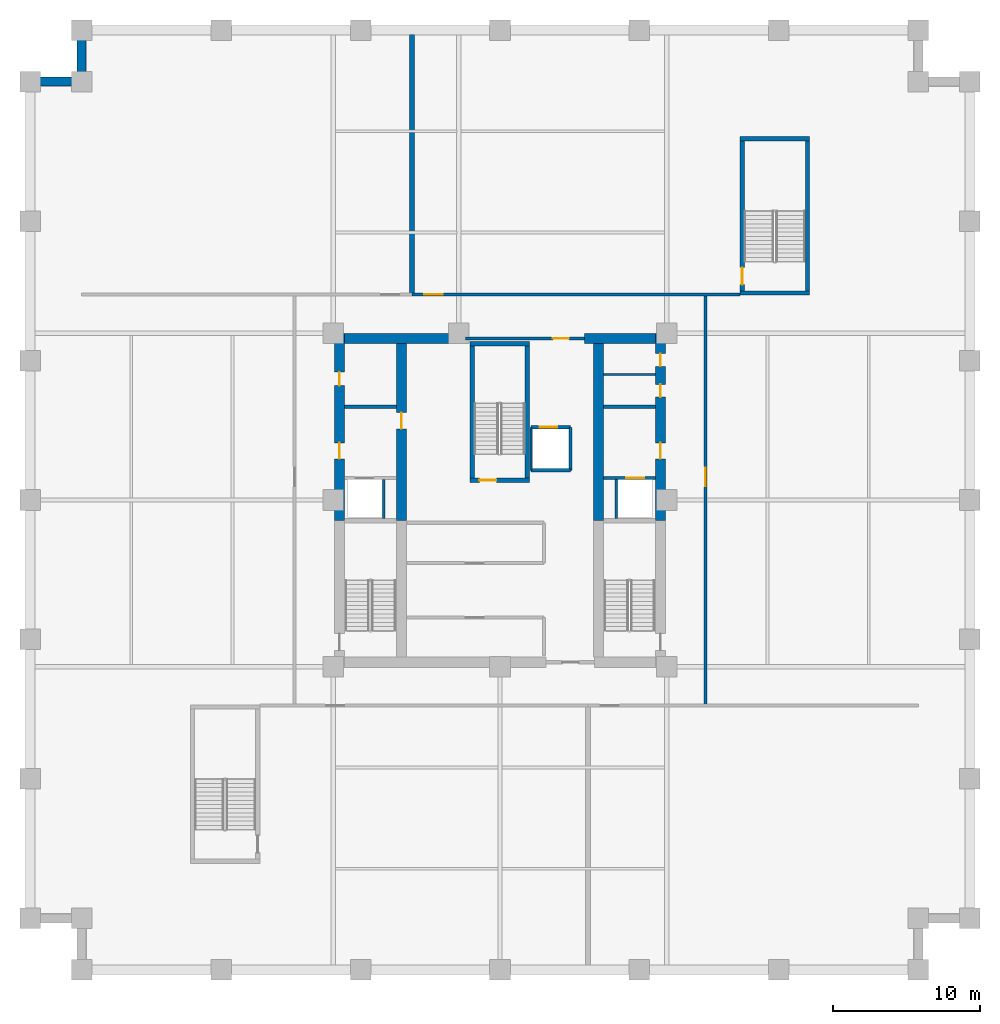
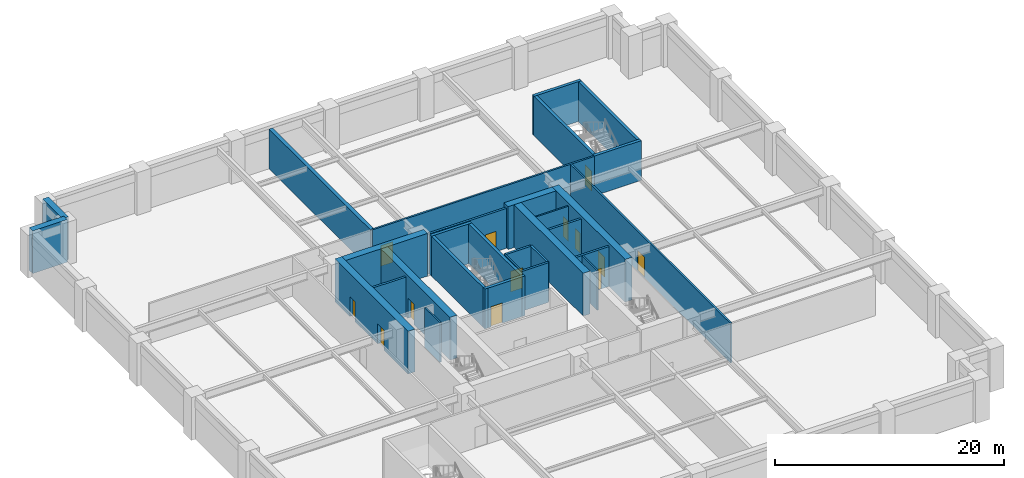
# One storey, part 3 of 6: 30 walls, 13 doors, 13 openings.
"""IFC4 building model written with IfcOpenShell, lengths in metres."""

from ifc_helpers import new_model, si_unit, direction, frame, frame_2d, origin, place, context, subcontext, project, spatial, rectangle, extrude, material, layer, layer_set, type_object, element, fill, save


model = new_model("IFC4")

# Units and contexts
model_context = context("Model", 3, precision=1e-05, world=origin(), true_north=direction((0.0, 1.0)))
body_context = subcontext(model_context, "Body", "Model", "MODEL_VIEW")
ifc_project = project(units=[si_unit("LENGTHUNIT", "METRE"), si_unit("AREAUNIT", "SQUARE_METRE"), si_unit("VOLUMEUNIT", "CUBIC_METRE"), si_unit("PLANEANGLEUNIT", "RADIAN"), si_unit("MASSUNIT", "GRAM", prefix="KILO")], contexts=[model_context])

# Site, building, storey
site_placement = place(None, origin())
site = spatial("IfcSite", under=ifc_project, at=site_placement, CompositionType="ELEMENT")
building_placement = place(site_placement, origin())
building = spatial("IfcBuilding", under=site, at=building_placement, Name="Nhamokura Convention Tower", CompositionType="ELEMENT")
storey_placement = place(building_placement, frame((0.0, 0.0, -4.550048828125)))
storey = spatial("IfcBuildingStorey", under=building, at=storey_placement, Name="B01", CompositionType="ELEMENT", Elevation=-4.550048828125)

# Walls
ifc_material_1 = material(Name="Concrete C50/60", Category="concrete")
ifc_layer_1 = layer(ifc_material_1, 0.60009765625)
ifc_layer_set_1 = layer_set([ifc_layer_1], Name="BasementRetainingWall_600")
wall_type_1 = type_object("IfcWallType", Name="BasementRetainingWall_600", PredefinedType="USERDEFINED", material=ifc_layer_set_1)
for number, where, z_axis, x_axis, name in (
    (1, (3.5, 64.0, 0.0), (0.0, 0.0, 1.0), (0.0, -1.0, 0.0), "B01 Perimeter Retaining Wall 08"),
    (2, (3.5, 60.5, 0.0), (0.0, 0.0, 1.0), (-1.0, 0.0, 0.0), "B01 Perimeter Retaining Wall 09"),
):
    element("IfcWall", number, at=place(storey_placement, frame(where, z_axis=z_axis, x_axis=x_axis)), inside=storey, type_object=wall_type_1, Name=name, ObjectType="RETAININGWALL", PredefinedType="USERDEFINED", context=body_context, shape_type="SweptSolid", body=[
        extrude(rectangle(XDim=3.5, YDim=0.60009765625, at=frame_2d((1.75, 0.0))), origin(), (0.0, 0.0, 1.0), 4.550048828125),
    ])
ifc_material_2 = material(Name="Moisture-resistant tile-backer partition", Category="masonry")
ifc_layer_2 = layer(ifc_material_2, 0.139892578125)
ifc_layer_set_2 = layer_set([ifc_layer_2], Name="BathroomWetWall_140")
wall_type_2 = type_object("IfcWallType", Name="BathroomWetWall_140", PredefinedType="STANDARD", material=ifc_layer_set_2)
wall_1_placement = place(storey_placement, frame((39.06005859375, 40.550048828125, 0.0), z_axis=(0.0, 0.0, 1.0), x_axis=(1.0, 0.0, 0.0)))
element("IfcWall", 3, at=wall_1_placement, inside=storey, type_object=wall_type_2, Name="B01 Wall INT-B01-CWNE", PredefinedType="STANDARD", context=body_context, shape_type="SweptSolid", body=[
    extrude(rectangle(XDim=3.530029296875, YDim=0.139892578125, at=frame_2d((1.76513671875, 0.0))), origin(), (0.0, 0.0, 1.0), 4.22998046875),
])

# Wall, openings, doors
ifc_material_3 = material(Name="Concrete C70/85", Category="concrete")
ifc_layer_3 = layer(ifc_material_3, 0.699951171875)
ifc_layer_set_3 = layer_set([ifc_layer_3], Name="CoreShearWall_700")
wall_type_3 = type_object("IfcWallType", Name="CoreShearWall_700", PredefinedType="SHEAR", material=ifc_layer_set_3)
wall_2_placement = place(storey_placement, frame((21.06005859375, 30.60009765625, 0.0), z_axis=(0.0, 0.0, 1.0), x_axis=(0.0, 1.0, 0.0)))
wall_2 = element("IfcWall", 4, at=wall_2_placement, inside=storey, type_object=wall_type_3, Name="B01 Core Shear Wall CW-WN", PredefinedType="SHEAR", context=body_context, shape_type="SweptSolid", body=[
    extrude(rectangle(XDim=12.75, YDim=0.699951171875, at=frame_2d((6.375, 0.0))), origin(), (0.0, 0.0, 1.0), 4.550048828125),
])
opening_1_placement = place(wall_2_placement, frame((4.199951171875, 0.0, 0.0)))
opening_1 = element("IfcOpeningElement", 5, at=opening_1_placement, cuts=wall_2, Name="Opening D-05", PredefinedType="OPENING", context=body_context, shape_type="SweptSolid", body=[
    extrude(rectangle(XDim=1.10009765625, YDim=2.14990234375, at=frame_2d((0.550048828125, 1.074951171875))), frame((0.0, 0.35986328125, 0.0), z_axis=(0.0, -1.0, 0.0), x_axis=(1.0, 0.0, 0.0)), (0.0, 0.0, 1.0), 0.719970703125),
])
opening_2_placement = place(wall_2_placement, frame((9.199951171875, 0.0, 0.0)))
opening_2 = element("IfcOpeningElement", 6, at=opening_2_placement, cuts=wall_2, Name="Opening D-10", PredefinedType="OPENING", context=body_context, shape_type="SweptSolid", body=[
    extrude(rectangle(XDim=0.919921875, YDim=2.10009765625, at=frame_2d((0.4599609375, 1.050048828125))), frame((0.0, 0.35986328125, 0.0), z_axis=(0.0, -1.0, 0.0), x_axis=(1.0, 0.0, 0.0)), (0.0, 0.0, 1.0), 0.719970703125),
])
ifc_material_4 = material(Name="Solid oak hardwood", Category="wood")
door_type_1 = type_object("IfcDoorType", Name="AccessibleWCDoor_920", OperationType="NOTDEFINED", PredefinedType="DOOR", material=ifc_material_4)
door_1_placement = place(opening_2_placement, origin())
door_1 = element("IfcDoor", 7, at=door_1_placement, inside=storey, type_object=door_type_1, Name="B01 Core Door INT-B01-D-AWC", OperationType="SINGLE_SWING_LEFT", OverallHeight=2.10009765625, OverallWidth=0.919921875, PredefinedType="DOOR", context=body_context, shape_type="SweptSolid", body=[
    extrude(rectangle(XDim=0.919921875, YDim=2.10009765625, at=frame_2d((0.4599609375, 1.050048828125))), frame((0.0, 0.02490234375, 0.0), z_axis=(0.0, -1.0, 0.0), x_axis=(1.0, 0.0, 0.0)), (0.0, 0.0, 1.0), 0.050048828125),
])
fill(opening_2, door_1)
ifc_material_5 = material(Name="Fire-rated steel door", Category="steel")
door_type_2 = type_object("IfcDoorType", Name="FireLobbyDoor_1100", OperationType="NOTDEFINED", PredefinedType="DOOR", material=ifc_material_5)
door_2_placement = place(opening_1_placement, origin())
door_2 = element("IfcDoor", 8, at=door_2_placement, inside=storey, type_object=door_type_2, Name="B01 Core Door INT-B01-D-FFLW", OperationType="SINGLE_SWING_RIGHT", OverallHeight=2.14990234375, OverallWidth=1.10009765625, PredefinedType="DOOR", context=body_context, shape_type="SweptSolid", body=[
    extrude(rectangle(XDim=1.10009765625, YDim=2.14990234375, at=frame_2d((0.550048828125, 1.074951171875))), frame((0.0, 0.02490234375, 0.0), z_axis=(0.0, -1.0, 0.0), x_axis=(1.0, 0.0, 0.0)), (0.0, 0.0, 1.0), 0.050048828125),
])
fill(opening_1, door_2)

wall_3_placement = place(storey_placement, frame((42.93994140625, 30.60009765625, 0.0), z_axis=(0.0, 0.0, 1.0), x_axis=(0.0, 1.0, 0.0)))
wall_3 = element("IfcWall", 9, at=wall_3_placement, inside=storey, type_object=wall_type_3, Name="B01 Core Shear Wall CW-EN", PredefinedType="SHEAR", context=body_context, shape_type="SweptSolid", body=[
    extrude(rectangle(XDim=12.75, YDim=0.699951171875, at=frame_2d((6.375, 0.0))), origin(), (0.0, 0.0, 1.0), 4.550048828125),
])
opening_3_placement = place(wall_3_placement, frame((4.199951171875, 0.0, 0.0)))
opening_3 = element("IfcOpeningElement", 10, at=opening_3_placement, cuts=wall_3, Name="Opening D-05", PredefinedType="OPENING", context=body_context, shape_type="SweptSolid", body=[
    extrude(rectangle(XDim=1.10009765625, YDim=2.14990234375, at=frame_2d((0.550048828125, 1.074951171875))), frame((0.0, 0.35986328125, 0.0), z_axis=(0.0, -1.0, 0.0), x_axis=(1.0, 0.0, 0.0)), (0.0, 0.0, 1.0), 0.719970703125),
])
opening_4_placement = place(wall_3_placement, frame((8.39990234375, 0.0, 0.0)))
opening_4 = element("IfcOpeningElement", 11, at=opening_4_placement, cuts=wall_3, Name="Opening D-11", PredefinedType="OPENING", context=body_context, shape_type="SweptSolid", body=[
    extrude(rectangle(XDim=0.8798828125, YDim=2.10009765625, at=frame_2d((0.43994140625, 1.050048828125))), frame((0.0, 0.35986328125, 0.0), z_axis=(0.0, -1.0, 0.0), x_axis=(1.0, 0.0, 0.0)), (0.0, 0.0, 1.0), 0.719970703125),
])
opening_5_placement = place(wall_3_placement, frame((10.5, 0.0, 0.0)))
opening_5 = element("IfcOpeningElement", 12, at=opening_5_placement, cuts=wall_3, Name="Opening D-11", PredefinedType="OPENING", context=body_context, shape_type="SweptSolid", body=[
    extrude(rectangle(XDim=0.8798828125, YDim=2.10009765625, at=frame_2d((0.43994140625, 1.050048828125))), frame((0.0, 0.35986328125, 0.0), z_axis=(0.0, -1.0, 0.0), x_axis=(1.0, 0.0, 0.0)), (0.0, 0.0, 1.0), 0.719970703125),
])
ifc_material_6 = material(Name="Solid oak hardwood", Category="wood")
door_type_3 = type_object("IfcDoorType", Name="BathroomDoor_880", OperationType="NOTDEFINED", PredefinedType="DOOR", material=ifc_material_6)
door_3_placement = place(opening_4_placement, origin())
door_3 = element("IfcDoor", 13, at=door_3_placement, inside=storey, type_object=door_type_3, Name="B01 Core Door INT-B01-D-MWC", OperationType="SINGLE_SWING_RIGHT", OverallHeight=2.10009765625, OverallWidth=0.8798828125, PredefinedType="DOOR", context=body_context, shape_type="SweptSolid", body=[
    extrude(rectangle(XDim=0.8798828125, YDim=2.10009765625, at=frame_2d((0.43994140625, 1.050048828125))), frame((0.0, 0.02490234375, 0.0), z_axis=(0.0, -1.0, 0.0), x_axis=(1.0, 0.0, 0.0)), (0.0, 0.0, 1.0), 0.050048828125),
])
fill(opening_4, door_3)
door_4_placement = place(opening_5_placement, origin())
door_4 = element("IfcDoor", 14, at=door_4_placement, inside=storey, type_object=door_type_3, Name="B01 Core Door INT-B01-D-FWC", OperationType="SINGLE_SWING_LEFT", OverallHeight=2.10009765625, OverallWidth=0.8798828125, PredefinedType="DOOR", context=body_context, shape_type="SweptSolid", body=[
    extrude(rectangle(XDim=0.8798828125, YDim=2.10009765625, at=frame_2d((0.43994140625, 1.050048828125))), frame((0.0, 0.02490234375, 0.0), z_axis=(0.0, -1.0, 0.0), x_axis=(1.0, 0.0, 0.0)), (0.0, 0.0, 1.0), 0.050048828125),
])
fill(opening_5, door_4)
door_5_placement = place(opening_3_placement, origin())
door_5 = element("IfcDoor", 15, at=door_5_placement, inside=storey, type_object=door_type_2, Name="B01 Core Door INT-B01-D-FFLE", OperationType="SINGLE_SWING_LEFT", OverallHeight=2.14990234375, OverallWidth=1.10009765625, PredefinedType="DOOR", context=body_context, shape_type="SweptSolid", body=[
    extrude(rectangle(XDim=1.10009765625, YDim=2.14990234375, at=frame_2d((0.550048828125, 1.074951171875))), frame((0.0, 0.02490234375, 0.0), z_axis=(0.0, -1.0, 0.0), x_axis=(1.0, 0.0, 0.0)), (0.0, 0.0, 1.0), 0.050048828125),
])
fill(opening_3, door_5)

# Walls
wall_4_placement = place(storey_placement, frame((21.409912109375, 43.0, 0.0), z_axis=(0.0, 0.0, 1.0), x_axis=(1.0, 0.0, 0.0)))
element("IfcWall", 16, at=wall_4_placement, inside=storey, type_object=wall_type_3, Name="B01 Core Shear Wall CW-N1", PredefinedType="SHEAR", context=body_context, shape_type="SweptSolid", body=[
    extrude(rectangle(XDim=8.239990234375, YDim=0.699951171875, at=frame_2d((4.1201171875, 0.0))), origin(), (0.0, 0.0, 1.0), 4.550048828125),
])
wall_5_placement = place(storey_placement, frame((37.75, 43.0, 0.0), z_axis=(0.0, 0.0, 1.0), x_axis=(1.0, 0.0, 0.0)))
element("IfcWall", 17, at=wall_5_placement, inside=storey, type_object=wall_type_3, Name="B01 Core Shear Wall CW-N2", PredefinedType="SHEAR", context=body_context, shape_type="SweptSolid", body=[
    extrude(rectangle(XDim=4.840087890625, YDim=0.699951171875, at=frame_2d((2.419921875, 0.0))), origin(), (0.0, 0.0, 1.0), 4.550048828125),
])

# Wall, opening, door
wall_6_placement = place(storey_placement, frame((25.2900390625, 30.60009765625, 0.0), z_axis=(0.0, 0.0, 1.0), x_axis=(0.0, 1.0, 0.0)))
wall_6 = element("IfcWall", 18, at=wall_6_placement, inside=storey, type_object=wall_type_3, Name="B01 Core Shear Wall CW-IWN", PredefinedType="SHEAR", context=body_context, shape_type="SweptSolid", body=[
    extrude(rectangle(XDim=12.0498046875, YDim=0.699951171875, at=frame_2d((6.02490234375, 0.0))), origin(), (0.0, 0.0, 1.0), 4.550048828125),
])
opening_6_placement = place(wall_6_placement, frame((6.25, 0.0, 0.0)))
opening_6 = element("IfcOpeningElement", 19, at=opening_6_placement, cuts=wall_6, Name="Opening D-05", PredefinedType="OPENING", context=body_context, shape_type="SweptSolid", body=[
    extrude(rectangle(XDim=1.10009765625, YDim=2.14990234375, at=frame_2d((0.550048828125, 1.074951171875))), frame((0.0, 0.35986328125, 0.0), z_axis=(0.0, -1.0, 0.0), x_axis=(1.0, 0.0, 0.0)), (0.0, 0.0, 1.0), 0.719970703125),
])
door_6_placement = place(opening_6_placement, origin())
door_6 = element("IfcDoor", 20, at=door_6_placement, inside=storey, type_object=door_type_2, Name="B01 Core Door INT-B01-D-B3LOB", OperationType="SINGLE_SWING_LEFT", OverallHeight=2.14990234375, OverallWidth=1.10009765625, PredefinedType="DOOR", context=body_context, shape_type="SweptSolid", body=[
    extrude(rectangle(XDim=1.10009765625, YDim=2.14990234375, at=frame_2d((0.550048828125, 1.074951171875))), frame((0.0, 0.02490234375, 0.0), z_axis=(0.0, -1.0, 0.0), x_axis=(1.0, 0.0, 0.0)), (0.0, 0.0, 1.0), 0.050048828125),
])
fill(opening_6, door_6)

# Wall
wall_7_placement = place(storey_placement, frame((38.7099609375, 30.60009765625, 0.0), z_axis=(0.0, 0.0, 1.0), x_axis=(0.0, 1.0, 0.0)))
element("IfcWall", 21, at=wall_7_placement, inside=storey, type_object=wall_type_3, Name="B01 Core Shear Wall CW-IEN", PredefinedType="SHEAR", context=body_context, shape_type="SweptSolid", body=[
    extrude(rectangle(XDim=12.0498046875, YDim=0.699951171875, at=frame_2d((6.02490234375, 0.0))), origin(), (0.0, 0.0, 1.0), 4.550048828125),
])

# Wall, opening, door
ifc_material_7 = material(Name="Fire-rated gypsum and masonry partition", Category="masonry")
ifc_layer_4 = layer(ifc_material_7, 0.179931640625)
ifc_layer_set_4 = layer_set([ifc_layer_4], Name="CorridorRatedWall_180")
wall_type_4 = type_object("IfcWallType", Name="CorridorRatedWall_180", PredefinedType="STANDARD", material=ifc_layer_set_4)
wall_8_placement = place(storey_placement, frame((26.0, 46.0, 0.0), z_axis=(0.0, 0.0, 1.0), x_axis=(1.0, 0.0, 0.0)))
wall_8 = element("IfcWall", 22, at=wall_8_placement, inside=storey, type_object=wall_type_4, Name="B01 Wall INT-B01-CW-N01", PredefinedType="STANDARD", context=body_context, shape_type="SweptSolid", body=[
    extrude(rectangle(XDim=22.35009765625, YDim=0.179931640625, at=frame_2d((11.175048828125, 0.0))), origin(), (0.0, 0.0, 1.0), 4.22998046875),
])
opening_7_placement = place(wall_8_placement, frame((0.85009765625, 0.0, 0.0)))
opening_7 = element("IfcOpeningElement", 23, at=opening_7_placement, cuts=wall_8, Name="Opening D-12", PredefinedType="OPENING", context=body_context, shape_type="SweptSolid", body=[
    extrude(rectangle(XDim=1.25, YDim=2.199951171875, at=frame_2d((0.625, 1.10009765625))), frame((0.0, 0.099853515625, 0.0), z_axis=(0.0, -1.0, 0.0), x_axis=(1.0, 0.0, 0.0)), (0.0, 0.0, 1.0), 0.199951171875),
])
ifc_material_8 = material(Name="Fire-rated steel door", Category="steel")
door_type_4 = type_object("IfcDoorType", Name="PlantServiceDoor_1250", OperationType="NOTDEFINED", PredefinedType="DOOR", material=ifc_material_8)
door_7_placement = place(opening_7_placement, origin())
door_7 = element("IfcDoor", 24, at=door_7_placement, inside=storey, type_object=door_type_4, Name="B01 Central Laundry and Linen Hub N02 Door", OperationType="SINGLE_SWING_RIGHT", OverallHeight=2.199951171875, OverallWidth=1.25, PredefinedType="DOOR", context=body_context, shape_type="SweptSolid", body=[
    extrude(rectangle(XDim=1.25, YDim=2.199951171875, at=frame_2d((0.625, 1.10009765625))), frame((0.0, 0.02490234375, 0.0), z_axis=(0.0, -1.0, 0.0), x_axis=(1.0, 0.0, 0.0)), (0.0, 0.0, 1.0), 0.050048828125),
])
fill(opening_7, door_7)

wall_9_placement = place(storey_placement, frame((46.0, 18.0, 0.0), z_axis=(0.0, 0.0, 1.0), x_axis=(0.0, 1.0, 0.0)))
wall_9 = element("IfcWall", 25, at=wall_9_placement, inside=storey, type_object=wall_type_4, Name="B01 Wall INT-B01-CW-E00", PredefinedType="STANDARD", context=body_context, shape_type="SweptSolid", body=[
    extrude(rectangle(XDim=28.0, YDim=0.179931640625, at=frame_2d((14.0, 0.0))), origin(), (0.0, 0.0, 1.0), 4.22998046875),
])
opening_8_placement = place(wall_9_placement, frame((14.949951171875, 0.0, 0.0)))
opening_8 = element("IfcOpeningElement", 26, at=opening_8_placement, cuts=wall_9, Name="Opening D-12", PredefinedType="OPENING", context=body_context, shape_type="SweptSolid", body=[
    extrude(rectangle(XDim=1.25, YDim=2.199951171875, at=frame_2d((0.625, 1.10009765625))), frame((0.0, 0.099853515625, 0.0), z_axis=(0.0, -1.0, 0.0), x_axis=(1.0, 0.0, 0.0)), (0.0, 0.0, 1.0), 0.199951171875),
])
door_8_placement = place(opening_8_placement, origin())
door_8 = element("IfcDoor", 27, at=door_8_placement, inside=storey, type_object=door_type_4, Name="B01 Staff Canteen and Lockers E01 Door", OperationType="SINGLE_SWING_LEFT", OverallHeight=2.199951171875, OverallWidth=1.25, PredefinedType="DOOR", context=body_context, shape_type="SweptSolid", body=[
    extrude(rectangle(XDim=1.25, YDim=2.199951171875, at=frame_2d((0.625, 1.10009765625))), frame((0.0, 0.02490234375, 0.0), z_axis=(0.0, -1.0, 0.0), x_axis=(1.0, 0.0, 0.0)), (0.0, 0.0, 1.0), 0.050048828125),
])
fill(opening_8, door_8)

ifc_material_9 = material(Name="Autoclaved concrete blockwork", Category="masonry")
ifc_layer_5 = layer(ifc_material_9, 0.219970703125)
ifc_layer_set_5 = layer_set([ifc_layer_5], Name="FireLobbyWall_220")
wall_type_5 = type_object("IfcWallType", Name="FireLobbyWall_220", PredefinedType="STANDARD", material=ifc_layer_set_5)
wall_10_placement = place(storey_placement, frame((39.06005859375, 33.5, 0.0), z_axis=(0.0, 0.0, 1.0), x_axis=(1.0, 0.0, 0.0)))
wall_10 = element("IfcWall", 28, at=wall_10_placement, inside=storey, type_object=wall_type_5, Name="B01 Wall INT-B01-FFE-S", PredefinedType="STANDARD", context=body_context, shape_type="SweptSolid", body=[
    extrude(rectangle(XDim=3.530029296875, YDim=0.219970703125, at=frame_2d((1.76513671875, 0.0))), origin(), (0.0, 0.0, 1.0), 4.22998046875),
])
opening_9_placement = place(wall_10_placement, frame((1.550048828125, 0.0, 0.0)))
opening_9 = element("IfcOpeningElement", 29, at=opening_9_placement, cuts=wall_10, Name="Opening LD-02", PredefinedType="OPENING", context=body_context, shape_type="SweptSolid", body=[
    extrude(rectangle(XDim=1.199951171875, YDim=2.199951171875, at=frame_2d((0.60009765625, 1.10009765625))), frame((0.0, 0.119873046875, 0.0), z_axis=(0.0, -1.0, 0.0), x_axis=(1.0, 0.0, 0.0)), (0.0, 0.0, 1.0), 0.239990234375),
])
ifc_material_10 = material(Name="Anodised bronze stainless steel", Category="steel")
door_type_5 = type_object("IfcDoorType", Name="LiftLandingDoor_FireService", OperationType="DOUBLE_DOOR_SLIDING", PredefinedType="DOOR", material=ifc_material_10)
door_9_placement = place(opening_9_placement, origin())
door_9 = element("IfcDoor", 30, at=door_9_placement, inside=storey, type_object=door_type_5, Name="B01 Firefighting Lift LF-02 Door", OperationType="DOUBLE_DOOR_SLIDING", OverallHeight=2.199951171875, OverallWidth=1.199951171875, PredefinedType="DOOR", context=body_context, shape_type="SweptSolid", body=[
    extrude(rectangle(XDim=1.199951171875, YDim=2.199951171875, at=frame_2d((0.60009765625, 1.10009765625))), frame((0.0, 0.02490234375, 0.0), z_axis=(0.0, -1.0, 0.0), x_axis=(1.0, 0.0, 0.0)), (0.0, 0.0, 1.0), 0.050048828125),
])
fill(opening_9, door_9)

# Walls
for number, where, z_axis, x_axis, name in (
    (31, (21.409912109375, 38.35009765625, 0.0), (0.0, 0.0, 1.0), (1.0, 0.0, 0.0), "B01 Wall INT-B01-FFW-N"),
    (32, (39.06005859375, 38.35009765625, 0.0), (0.0, 0.0, 1.0), (1.0, 0.0, 0.0), "B01 Wall INT-B01-FFE-N"),
):
    element("IfcWall", number, at=place(storey_placement, frame(where, z_axis=z_axis, x_axis=x_axis)), inside=storey, type_object=wall_type_5, Name=name, PredefinedType="STANDARD", context=body_context, shape_type="SweptSolid", body=[
        extrude(rectangle(XDim=3.530029296875, YDim=0.219970703125, at=frame_2d((1.76513671875, 0.0))), origin(), (0.0, 0.0, 1.0), 4.22998046875),
    ])

# Wall, opening, door
wall_11_placement = place(storey_placement, frame((29.64990234375, 43.0, 0.0), z_axis=(0.0, 0.0, 1.0), x_axis=(1.0, 0.0, 0.0)))
wall_11 = element("IfcWall", 33, at=wall_11_placement, inside=storey, type_object=wall_type_5, Name="B01 Wall INT-B01-CPORT-N", PredefinedType="STANDARD", context=body_context, shape_type="SweptSolid", body=[
    extrude(rectangle(XDim=8.10009765625, YDim=0.219970703125, at=frame_2d((4.050048828125, 0.0))), origin(), (0.0, 0.0, 1.0), 4.22998046875),
])
opening_10_placement = place(wall_11_placement, frame((5.949951171875, 0.0, 0.0)))
opening_10 = element("IfcOpeningElement", 34, at=opening_10_placement, cuts=wall_11, Name="Opening D-05", PredefinedType="OPENING", context=body_context, shape_type="SweptSolid", body=[
    extrude(rectangle(XDim=1.10009765625, YDim=2.14990234375, at=frame_2d((0.550048828125, 1.074951171875))), frame((0.0, 0.119873046875, 0.0), z_axis=(0.0, -1.0, 0.0), x_axis=(1.0, 0.0, 0.0)), (0.0, 0.0, 1.0), 0.239990234375),
])
door_10_placement = place(opening_10_placement, origin())
door_10 = element("IfcDoor", 35, at=door_10_placement, inside=storey, type_object=door_type_2, Name="B01 North Core Lobby Portal Door", OperationType="SINGLE_SWING_RIGHT", OverallHeight=2.14990234375, OverallWidth=1.10009765625, PredefinedType="DOOR", context=body_context, shape_type="SweptSolid", body=[
    extrude(rectangle(XDim=1.10009765625, YDim=2.14990234375, at=frame_2d((0.550048828125, 1.074951171875))), frame((0.0, 0.02490234375, 0.0), z_axis=(0.0, -1.0, 0.0), x_axis=(1.0, 0.0, 0.0)), (0.0, 0.0, 1.0), 0.050048828125),
])
fill(opening_10, door_10)

wall_12_placement = place(storey_placement, frame((34.1201171875, 36.949951171875, 0.0), z_axis=(0.0, 0.0, 1.0), x_axis=(1.0, 0.0, 0.0)))
wall_12 = element("IfcWall", 36, at=wall_12_placement, inside=storey, type_object=wall_type_5, Name="B01 Wall INT-B01-LSN", PredefinedType="STANDARD", context=body_context, shape_type="SweptSolid", body=[
    extrude(rectangle(XDim=2.679931640625, YDim=0.219970703125, at=frame_2d((1.33984375, 0.0))), origin(), (0.0, 0.0, 1.0), 4.22998046875),
])
opening_11_placement = place(wall_12_placement, frame((0.580078125, 0.0, 0.0)))
opening_11 = element("IfcOpeningElement", 37, at=opening_11_placement, cuts=wall_12, Name="Opening LD-02", PredefinedType="OPENING", context=body_context, shape_type="SweptSolid", body=[
    extrude(rectangle(XDim=1.199951171875, YDim=2.199951171875, at=frame_2d((0.60009765625, 1.10009765625))), frame((0.0, 0.119873046875, 0.0), z_axis=(0.0, -1.0, 0.0), x_axis=(1.0, 0.0, 0.0)), (0.0, 0.0, 1.0), 0.239990234375),
])
door_11_placement = place(opening_11_placement, origin())
door_11 = element("IfcDoor", 38, at=door_11_placement, inside=storey, type_object=door_type_5, Name="B01 Service Lift LS-01 Door", OperationType="DOUBLE_DOOR_SLIDING", OverallHeight=2.199951171875, OverallWidth=1.199951171875, PredefinedType="DOOR", context=body_context, shape_type="SweptSolid", body=[
    extrude(rectangle(XDim=1.199951171875, YDim=2.199951171875, at=frame_2d((0.60009765625, 1.10009765625))), frame((0.0, 0.02490234375, 0.0), z_axis=(0.0, -1.0, 0.0), x_axis=(1.0, 0.0, 0.0)), (0.0, 0.0, 1.0), 0.050048828125),
])
fill(opening_11, door_11)

# Walls
wall_13_placement = place(storey_placement, frame((36.800048828125, 34.02001953125, 0.0), z_axis=(0.0, 0.0, 1.0), x_axis=(0.0, 1.0, 0.0)))
element("IfcWall", 39, at=wall_13_placement, inside=storey, type_object=wall_type_5, Name="B01 Wall INT-B01-LSE", PredefinedType="STANDARD", context=body_context, shape_type="SweptSolid", body=[
    extrude(rectangle(XDim=2.929931640625, YDim=0.219970703125, at=frame_2d((1.46484375, 0.0))), origin(), (0.0, 0.0, 1.0), 4.22998046875),
])
wall_14_placement = place(storey_placement, frame((34.1201171875, 34.02001953125, 0.0), z_axis=(0.0, 0.0, 1.0), x_axis=(1.0, 0.0, 0.0)))
element("IfcWall", 40, at=wall_14_placement, inside=storey, type_object=wall_type_5, Name="B01 Wall INT-B01-LSS", PredefinedType="STANDARD", context=body_context, shape_type="SweptSolid", body=[
    extrude(rectangle(XDim=2.679931640625, YDim=0.219970703125, at=frame_2d((1.33984375, 0.0))), origin(), (0.0, 0.0, 1.0), 4.22998046875),
])
ifc_material_11 = material(Name="Concrete C50/60", Category="concrete")
ifc_layer_6 = layer(ifc_material_11, 0.35009765625)
ifc_layer_set_6 = layer_set([ifc_layer_6], Name="FirewallPlant_350")
wall_type_6 = type_object("IfcWallType", Name="FirewallPlant_350", PredefinedType="STANDARD", material=ifc_layer_set_6)
wall_15_placement = place(storey_placement, frame((26.0, 46.0, 0.0), z_axis=(0.0, 0.0, 1.0), x_axis=(0.0, 1.0, 0.0)))
element("IfcWall", 41, at=wall_15_placement, inside=storey, type_object=wall_type_6, Name="B01 Wall INT-B01-RW-N01", PredefinedType="STANDARD", context=body_context, shape_type="SweptSolid", body=[
    extrude(rectangle(XDim=17.699951171875, YDim=0.35009765625, at=frame_2d((8.85009765625, 0.0))), origin(), (0.0, 0.0, 1.0), 4.22998046875),
])
ifc_material_12 = material(Name="Acoustic gypsum stud partition", Category="masonry")
ifc_layer_7 = layer(ifc_material_12, 0.14990234375)
ifc_layer_set_7 = layer_set([ifc_layer_7], Name="InteriorPartition_150")
wall_type_7 = type_object("IfcWallType", Name="InteriorPartition_150", PredefinedType="STANDARD", material=ifc_layer_set_7)
for number, where, z_axis, x_axis, name in (
    (42, (24.080078125, 30.75, 0.0), (0.0, 0.0, 1.0), (0.0, 1.0, 0.0), "B01 Wall INT-B01-FF1-E"),
    (43, (39.919921875, 30.75, 0.0), (0.0, 0.0, 1.0), (0.0, 1.0, 0.0), "B01 Wall INT-B01-FF2-W"),
):
    element("IfcWall", number, at=place(storey_placement, frame(where, z_axis=z_axis, x_axis=x_axis)), inside=storey, type_object=wall_type_7, Name=name, PredefinedType="STANDARD", context=body_context, shape_type="SweptSolid", body=[
        extrude(rectangle(XDim=2.64990234375, YDim=0.14990234375, at=frame_2d((1.324951171875, 0.0))), origin(), (0.0, 0.0, 1.0), 4.22998046875),
    ])
wall_16_placement = place(storey_placement, frame((34.1201171875, 34.02001953125, 0.0), z_axis=(0.0, 0.0, 1.0), x_axis=(0.0, 1.0, 0.0)))
element("IfcWall", 44, at=wall_16_placement, inside=storey, type_object=wall_type_7, Name="B01 Wall INT-B01-LSW", PredefinedType="STANDARD", context=body_context, shape_type="SweptSolid", body=[
    extrude(rectangle(XDim=2.929931640625, YDim=0.14990234375, at=frame_2d((1.46484375, 0.0))), origin(), (0.0, 0.0, 1.0), 4.22998046875),
])
ifc_material_13 = material(Name="Concrete C50/60", Category="concrete")
ifc_layer_8 = layer(ifc_material_13, 0.300048828125)
ifc_layer_set_8 = layer_set([ifc_layer_8], Name="ShaftEnclosureWall_300")
wall_type_8 = type_object("IfcWallType", Name="ShaftEnclosureWall_300", PredefinedType="SHEAR", material=ifc_layer_set_8)
for number, where, z_axis, x_axis, name in (
    (45, (30.10009765625, 33.199951171875, 0.0), (0.0, 0.0, 1.0), (0.0, 1.0, 0.0), "B01 Wall INT-B01-ST03W"),
    (46, (33.85009765625, 33.199951171875, 0.0), (0.0, 0.0, 1.0), (0.0, 1.0, 0.0), "B01 Wall INT-B01-ST03E"),
):
    element("IfcWall", number, at=place(storey_placement, frame(where, z_axis=z_axis, x_axis=x_axis)), inside=storey, type_object=wall_type_8, Name=name, PredefinedType="SHEAR", context=body_context, shape_type="SweptSolid", body=[
        extrude(rectangle(XDim=9.60009765625, YDim=0.300048828125, at=frame_2d((4.800048828125, 0.0))), origin(), (0.0, 0.0, 1.0), 4.22998046875),
    ])

# Wall, opening, door
wall_17_placement = place(storey_placement, frame((29.949951171875, 33.35009765625, 0.0), z_axis=(0.0, 0.0, 1.0), x_axis=(1.0, 0.0, 0.0)))
wall_17 = element("IfcWall", 47, at=wall_17_placement, inside=storey, type_object=wall_type_8, Name="B01 Wall INT-B01-ST03S", PredefinedType="SHEAR", context=body_context, shape_type="SweptSolid", body=[
    extrude(rectangle(XDim=4.050048828125, YDim=0.300048828125, at=frame_2d((2.02490234375, 0.0))), origin(), (0.0, 0.0, 1.0), 4.22998046875),
])
opening_12_placement = place(wall_17_placement, frame((0.64990234375, 0.0, 0.0)))
opening_12 = element("IfcOpeningElement", 48, at=opening_12_placement, cuts=wall_17, Name="Opening D-04", PredefinedType="OPENING", context=body_context, shape_type="SweptSolid", body=[
    extrude(rectangle(XDim=1.14990234375, YDim=2.14990234375, at=frame_2d((0.574951171875, 1.074951171875))), frame((0.0, 0.159912109375, 0.0), z_axis=(0.0, -1.0, 0.0), x_axis=(1.0, 0.0, 0.0)), (0.0, 0.0, 1.0), 0.320068359375),
])
ifc_material_14 = material(Name="Fire-rated steel door", Category="steel")
door_type_6 = type_object("IfcDoorType", Name="StairSmokeDoor_1150", OperationType="NOTDEFINED", PredefinedType="DOOR", material=ifc_material_14)
door_12_placement = place(opening_12_placement, origin())
door_12 = element("IfcDoor", 49, at=door_12_placement, inside=storey, type_object=door_type_6, Name="B01 Stair ST-03 Smoke Door", OperationType="SINGLE_SWING_LEFT", OverallHeight=2.14990234375, OverallWidth=1.14990234375, PredefinedType="DOOR", context=body_context, shape_type="SweptSolid", body=[
    extrude(rectangle(XDim=1.14990234375, YDim=2.14990234375, at=frame_2d((0.574951171875, 1.074951171875))), frame((0.0, 0.02490234375, 0.0), z_axis=(0.0, -1.0, 0.0), x_axis=(1.0, 0.0, 0.0)), (0.0, 0.0, 1.0), 0.050048828125),
])
fill(opening_12, door_12)

# Wall
wall_18_placement = place(storey_placement, frame((29.949951171875, 42.64990234375, 0.0), z_axis=(0.0, 0.0, 1.0), x_axis=(1.0, 0.0, 0.0)))
element("IfcWall", 50, at=wall_18_placement, inside=storey, type_object=wall_type_8, Name="B01 Wall INT-B01-ST03N", PredefinedType="SHEAR", context=body_context, shape_type="SweptSolid", body=[
    extrude(rectangle(XDim=4.050048828125, YDim=0.300048828125, at=frame_2d((2.02490234375, 0.0))), origin(), (0.0, 0.0, 1.0), 4.22998046875),
])

# Wall, opening, door
wall_19_placement = place(storey_placement, frame((48.5, 46.10009765625, 0.0), z_axis=(0.0, 0.0, 1.0), x_axis=(0.0, 1.0, 0.0)))
wall_19 = element("IfcWall", 51, at=wall_19_placement, inside=storey, type_object=wall_type_8, Name="B01 Wall INT-B01-ST05-W", PredefinedType="SHEAR", context=body_context, shape_type="SweptSolid", body=[
    extrude(rectangle(XDim=10.5, YDim=0.300048828125, at=frame_2d((5.25, 0.0))), origin(), (0.0, 0.0, 1.0), 4.22998046875),
])
opening_13_placement = place(wall_19_placement, frame((0.580078125, 0.0, 0.0)))
opening_13 = element("IfcOpeningElement", 52, at=opening_13_placement, cuts=wall_19, Name="Opening D-04", PredefinedType="OPENING", context=body_context, shape_type="SweptSolid", body=[
    extrude(rectangle(XDim=1.14990234375, YDim=2.14990234375, at=frame_2d((0.574951171875, 1.074951171875))), frame((0.0, 0.159912109375, 0.0), z_axis=(0.0, -1.0, 0.0), x_axis=(1.0, 0.0, 0.0)), (0.0, 0.0, 1.0), 0.320068359375),
])
door_13_placement = place(opening_13_placement, origin())
door_13 = element("IfcDoor", 53, at=door_13_placement, inside=storey, type_object=door_type_6, Name="B01 Stair ST-05 Smoke Door", OperationType="SINGLE_SWING_LEFT", OverallHeight=2.14990234375, OverallWidth=1.14990234375, PredefinedType="DOOR", context=body_context, shape_type="SweptSolid", body=[
    extrude(rectangle(XDim=1.14990234375, YDim=2.14990234375, at=frame_2d((0.574951171875, 1.074951171875))), frame((0.0, 0.02490234375, 0.0), z_axis=(0.0, -1.0, 0.0), x_axis=(1.0, 0.0, 0.0)), (0.0, 0.0, 1.0), 0.050048828125),
])
fill(opening_13, door_13)

# Walls
wall_20_placement = place(storey_placement, frame((52.949951171875, 46.10009765625, 0.0), z_axis=(0.0, 0.0, 1.0), x_axis=(0.0, 1.0, 0.0)))
element("IfcWall", 54, at=wall_20_placement, inside=storey, type_object=wall_type_8, Name="B01 Wall INT-B01-ST05-E", PredefinedType="SHEAR", context=body_context, shape_type="SweptSolid", body=[
    extrude(rectangle(XDim=10.5, YDim=0.300048828125, at=frame_2d((5.25, 0.0))), origin(), (0.0, 0.0, 1.0), 4.22998046875),
])
for number, where, z_axis, x_axis, name in (
    (55, (48.35009765625, 46.10009765625, 0.0), (0.0, 0.0, 1.0), (1.0, 0.0, 0.0), "B01 Wall INT-B01-ST05-S"),
    (56, (48.35009765625, 56.60009765625, 0.0), (0.0, 0.0, 1.0), (1.0, 0.0, 0.0), "B01 Wall INT-B01-ST05-N"),
):
    element("IfcWall", number, at=place(storey_placement, frame(where, z_axis=z_axis, x_axis=x_axis)), inside=storey, type_object=wall_type_8, Name=name, PredefinedType="SHEAR", context=body_context, shape_type="SweptSolid", body=[
        extrude(rectangle(XDim=4.75, YDim=0.300048828125, at=frame_2d((2.375, 0.0))), origin(), (0.0, 0.0, 1.0), 4.22998046875),
    ])

save(model, "model.ifc")
